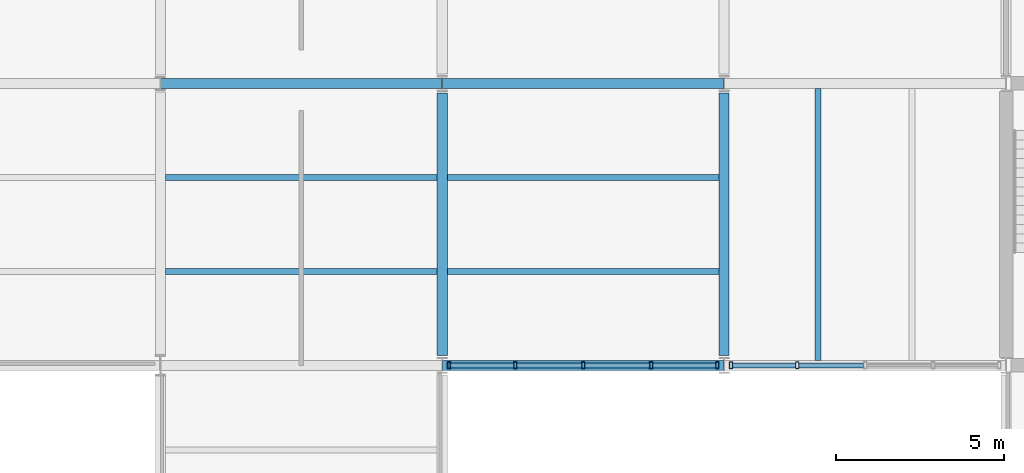
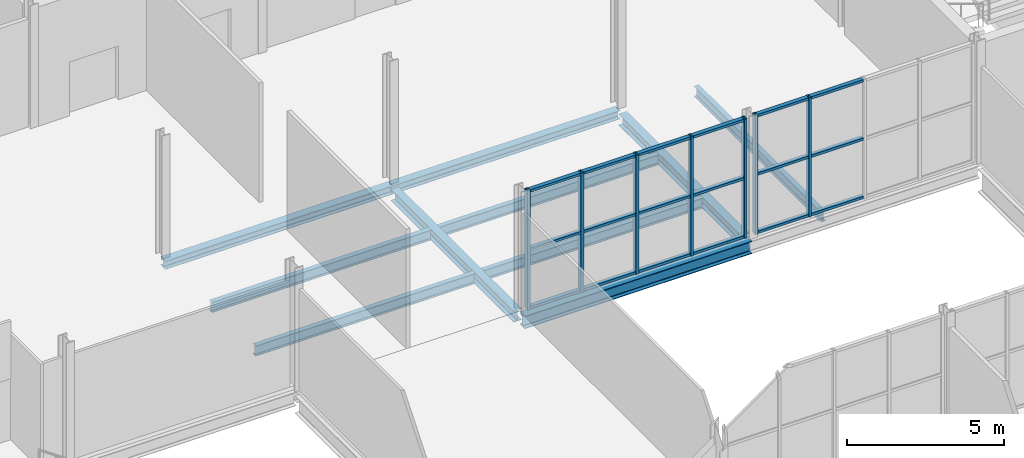
# One storey, part 22 of 52: 25 members, 10 beams, 2 elements without a shape of their own.
"""IFC4 building model written with IfcOpenShell, lengths in metres."""

from ifc_helpers import new_model, si_unit, direction, frame, origin, origin_2d, place, context, subcontext, project, spatial, hollow_rectangle, i_section, extrude, material, layer, layer_set, material_profile, profile_set, type_object, element, aggregate, save


model = new_model("IFC4")

# Units and contexts
model_context = context("Model", 3, precision=1e-05, world=origin(), true_north=direction((0.0, 1.0)))
body_context = subcontext(model_context, "Body", "Model", "MODEL_VIEW")
ifc_project = project(units=[si_unit("LENGTHUNIT", "METRE"), si_unit("AREAUNIT", "SQUARE_METRE"), si_unit("VOLUMEUNIT", "CUBIC_METRE"), si_unit("PLANEANGLEUNIT", "RADIAN"), si_unit("MASSUNIT", "GRAM", prefix="KILO")], contexts=[model_context])

# Site, building, storey
site_placement = place(None, origin())
site = spatial("IfcSite", under=ifc_project, at=site_placement, CompositionType="ELEMENT")
building_placement = place(site_placement, origin())
building = spatial("IfcBuilding", under=site, at=building_placement, Name="Galleria Vessillo Department Store", CompositionType="ELEMENT")
storey_placement = place(building_placement, frame((0.0, 0.0, 16.199951171875)))
storey = spatial("IfcBuildingStorey", under=building, at=storey_placement, Name="L03", CompositionType="ELEMENT", Elevation=16.199951171875)

# Beams
ifc_material_1 = material(Name="Steel S355 J2", Category="steel")
ifc_material_profile_1 = material_profile(ifc_material_1, i_section(OverallWidth=0.300048828125, OverallDepth=0.43994140625, WebThickness=0.011474609375, FlangeThickness=0.02099609375, FilletRadius=0.027099609375, at=origin_2d()), Name="HEA 450")
ifc_profile_set_1 = profile_set([ifc_material_profile_1], Name="Steel S355 J2")
beam_type_1 = type_object("IfcBeamType", Name="Floor girder HEA 450", PredefinedType="BEAM", material=ifc_profile_set_1)
for number, where, z_axis, x_axis, name in (
    (1, (84.0, 38.086181640625, -0.369873046875), (0.0, 1.0, 0.0), (-1.0, 0.0, 0.0), "S-BM-L03-GI-y84000-38086"),
    (2, (92.39990234375, 38.086181640625, -0.369873046875), (0.0, 1.0, 0.0), (-1.0, 0.0, 0.0), "S-BM-L03-GI-y92400-38086"),
):
    element("IfcBeam", number, at=place(storey_placement, frame(where, z_axis=z_axis, x_axis=x_axis)), inside=storey, type_object=beam_type_1, Name=name, PredefinedType="BEAM", context=body_context, shape_type="SweptSolid", body=[
        extrude(i_section(OverallWidth=0.300048828125, OverallDepth=0.43994140625, WebThickness=0.011474609375, FlangeThickness=0.02099609375, FilletRadius=0.027099609375, at=origin_2d()), origin(), (0.0, 0.0, 1.0), 7.82763671875),
    ])
ifc_material_2 = material(Name="Steel S355 J2", Category="steel")
ifc_material_profile_2 = material_profile(ifc_material_2, i_section(OverallWidth=0.179931640625, OverallDepth=0.39990234375, WebThickness=0.008544921875, FlangeThickness=0.013427734375, FilletRadius=0.02099609375, at=origin_2d()), Name="IPE 400")
ifc_profile_set_2 = profile_set([ifc_material_profile_2], Name="Steel S355 J2")
beam_type_2 = type_object("IfcBeamType", Name="Floor joist IPE 400", PredefinedType="JOIST", material=ifc_profile_set_2)
for number, where, z_axis, x_axis, name in (
    (3, (75.750244140625, 40.60009765625, -0.349853515625), (1.0, 0.0, 0.0), (0.0, 1.0, 0.0), "S-BM-L03-JO-x40600-75750"),
    (4, (75.750244140625, 43.39990234375, -0.349853515625), (1.0, 0.0, 0.0), (0.0, 1.0, 0.0), "S-BM-L03-JO-x43400-75750"),
    (5, (84.150146484375, 40.60009765625, -0.349853515625), (1.0, 0.0, 0.0), (0.0, 1.0, 0.0), "S-BM-L03-JO-x40600-84150"),
    (6, (84.150146484375, 43.39990234375, -0.349853515625), (1.0, 0.0, 0.0), (0.0, 1.0, 0.0), "S-BM-L03-JO-x43400-84150"),
    (7, (95.199951171875, 37.9501953125, -0.349853515625), (0.0, 1.0, 0.0), (-1.0, 0.0, 0.0), "S-BM-L03-JO-y95200-37950"),
):
    element("IfcBeam", number, at=place(storey_placement, frame(where, z_axis=z_axis, x_axis=x_axis)), inside=storey, type_object=beam_type_2, Name=name, PredefinedType="JOIST", context=body_context, shape_type="SweptSolid", body=[
        extrude(i_section(OverallWidth=0.179931640625, OverallDepth=0.39990234375, WebThickness=0.008544921875, FlangeThickness=0.013427734375, FilletRadius=0.02099609375, at=origin_2d()), origin(), (0.0, 0.0, 1.0), 8.099609375),
    ])
ifc_material_3 = material(Name="Steel S355 J2", Category="steel")
ifc_material_profile_3 = material_profile(ifc_material_3, i_section(OverallWidth=0.300048828125, OverallDepth=0.330078125, WebThickness=0.009521484375, FlangeThickness=0.0166015625, FilletRadius=0.027099609375, at=origin_2d()), Name="HEA 340")
ifc_profile_set_3 = profile_set([ifc_material_profile_3], Name="Steel S355 J2")
beam_type_3 = type_object("IfcBeamType", Name="Floor tie girder HEA 340", PredefinedType="BEAM", material=ifc_profile_set_3)
beam_1_placement = place(storey_placement, frame((75.607421875, 46.199951171875, -0.31494140625), z_axis=(1.0, 0.0, 0.0), x_axis=(0.0, 1.0, 0.0)))
element("IfcBeam", 8, at=beam_1_placement, inside=storey, type_object=beam_type_3, Name="S-BM-L03-TI-x46200-75607", PredefinedType="BEAM", context=body_context, shape_type="SweptSolid", body=[
    extrude(i_section(OverallWidth=0.300048828125, OverallDepth=0.330078125, WebThickness=0.009521484375, FlangeThickness=0.0166015625, FilletRadius=0.027099609375, at=origin_2d()), origin(), (0.0, 0.0, 1.0), 8.3818359375),
])
beam_2_placement = place(storey_placement, frame((84.0107421875, 46.199951171875, -0.31494140625), z_axis=(1.0, 0.0, 0.0), x_axis=(0.0, 1.0, 0.0)))
element("IfcBeam", 9, at=beam_2_placement, inside=storey, type_object=beam_type_3, Name="S-BM-L03-TI-x46200-84011", PredefinedType="BEAM", context=body_context, shape_type="SweptSolid", body=[
    extrude(i_section(OverallWidth=0.300048828125, OverallDepth=0.330078125, WebThickness=0.009521484375, FlangeThickness=0.0166015625, FilletRadius=0.027099609375, at=origin_2d()), origin(), (0.0, 0.0, 1.0), 8.378662109375),
])

# Curtain wall, members
ifc_material_4 = material(Name="Steel and fire-resisting glass curtain wall", Category="steel")
ifc_layer = layer(ifc_material_4, 0.199951171875)
ifc_layer_set = layer_set([ifc_layer], Name="Steel and fire-resisting glass curtain wall")
curtain_wall_type = type_object("IfcCurtainWallType", Name="Arcade fire-resisting glazed shopfront EI 120-Sa", PredefinedType="NOTDEFINED", material=ifc_layer_set)
curtain_wall_1_placement = place(storey_placement, origin())
curtain_wall_1 = element("IfcCurtainWall", 10, at=curtain_wall_1_placement, inside=storey, type_object=curtain_wall_type, Name="Arcade fire-resisting glazed shopfront EI 120-Sa AI-AE-N-L03-01", PredefinedType="NOTDEFINED")
ifc_material_5 = material(Name="Steel S355 J2", Category="steel")
ifc_material_profile_4 = material_profile(ifc_material_5, hollow_rectangle(XDim=0.199951171875, YDim=0.10009765625, WallThickness=0.008056640625, at=origin_2d()), Name="RHS 200x100x8")
ifc_profile_set_4 = profile_set([ifc_material_profile_4], Name="Steel S355 J2")
member_type_1 = type_object("IfcMemberType", Name="Steel mullion RHS 200x100x8", PredefinedType="MULLION", material=ifc_profile_set_4)
member_1_placement = place(storey_placement, frame((84.20361328125, 37.800048828125, 0.0), z_axis=(0.0, 0.0, 1.0), x_axis=(0.0, 1.0, 0.0)))
member_1 = element("IfcMember", 11, at=member_1_placement, type_object=member_type_1, Name="CW7 mullion 1", PredefinedType="MULLION", context=body_context, shape_type="SweptSolid", body=[
    extrude(hollow_rectangle(XDim=0.199951171875, YDim=0.10009765625, WallThickness=0.008056640625, at=origin_2d()), origin(), (0.0, 0.0, 1.0), 4.650146484375),
])
member_2_placement = place(storey_placement, frame((86.1767578125, 37.800048828125, 0.0), z_axis=(0.0, 0.0, 1.0), x_axis=(0.0, 1.0, 0.0)))
member_2 = element("IfcMember", 12, at=member_2_placement, type_object=member_type_1, Name="CW7 mullion 2", PredefinedType="MULLION", context=body_context, shape_type="SweptSolid", body=[
    extrude(hollow_rectangle(XDim=0.199951171875, YDim=0.10009765625, WallThickness=0.008056640625, at=origin_2d()), origin(), (0.0, 0.0, 1.0), 4.650146484375),
])
member_3_placement = place(storey_placement, frame((88.199951171875, 37.800048828125, 0.0), z_axis=(0.0, 0.0, 1.0), x_axis=(0.0, 1.0, 0.0)))
member_3 = element("IfcMember", 13, at=member_3_placement, type_object=member_type_1, Name="CW7 mullion 3", PredefinedType="MULLION", context=body_context, shape_type="SweptSolid", body=[
    extrude(hollow_rectangle(XDim=0.199951171875, YDim=0.10009765625, WallThickness=0.008056640625, at=origin_2d()), origin(), (0.0, 0.0, 1.0), 4.650146484375),
])
member_4_placement = place(storey_placement, frame((90.22314453125, 37.800048828125, 0.0), z_axis=(0.0, 0.0, 1.0), x_axis=(0.0, 1.0, 0.0)))
member_4 = element("IfcMember", 14, at=member_4_placement, type_object=member_type_1, Name="CW7 mullion 4", PredefinedType="MULLION", context=body_context, shape_type="SweptSolid", body=[
    extrude(hollow_rectangle(XDim=0.199951171875, YDim=0.10009765625, WallThickness=0.008056640625, at=origin_2d()), origin(), (0.0, 0.0, 1.0), 4.650146484375),
])
member_5_placement = place(storey_placement, frame((92.1962890625, 37.800048828125, 0.0), z_axis=(0.0, 0.0, 1.0), x_axis=(0.0, 1.0, 0.0)))
member_5 = element("IfcMember", 15, at=member_5_placement, type_object=member_type_1, Name="CW7 mullion 5", PredefinedType="MULLION", context=body_context, shape_type="SweptSolid", body=[
    extrude(hollow_rectangle(XDim=0.199951171875, YDim=0.10009765625, WallThickness=0.008056640625, at=origin_2d()), origin(), (0.0, 0.0, 1.0), 4.650146484375),
])

curtain_wall_2_placement = place(storey_placement, origin())
curtain_wall_2 = element("IfcCurtainWall", 16, at=curtain_wall_2_placement, inside=storey, type_object=curtain_wall_type, Name="Arcade fire-resisting glazed shopfront EI 120-Sa AI-AE-N-L03-02", PredefinedType="NOTDEFINED")
member_6_placement = place(storey_placement, frame((92.603515625, 37.800048828125, 0.0), z_axis=(0.0, 0.0, 1.0), x_axis=(0.0, 1.0, 0.0)))
member_6 = element("IfcMember", 17, at=member_6_placement, type_object=member_type_1, Name="CW7 mullion 1", PredefinedType="MULLION", context=body_context, shape_type="SweptSolid", body=[
    extrude(hollow_rectangle(XDim=0.199951171875, YDim=0.10009765625, WallThickness=0.008056640625, at=origin_2d()), origin(), (0.0, 0.0, 1.0), 4.650146484375),
])
member_7_placement = place(storey_placement, frame((94.57666015625, 37.800048828125, 0.0), z_axis=(0.0, 0.0, 1.0), x_axis=(0.0, 1.0, 0.0)))
member_7 = element("IfcMember", 18, at=member_7_placement, type_object=member_type_1, Name="CW7 mullion 2", PredefinedType="MULLION", context=body_context, shape_type="SweptSolid", body=[
    extrude(hollow_rectangle(XDim=0.199951171875, YDim=0.10009765625, WallThickness=0.008056640625, at=origin_2d()), origin(), (0.0, 0.0, 1.0), 4.650146484375),
])

# Member
ifc_material_6 = material(Name="Steel S355 J2", Category="steel")
ifc_material_profile_5 = material_profile(ifc_material_6, hollow_rectangle(XDim=0.14990234375, YDim=0.10009765625, WallThickness=0.008056640625, at=origin_2d()), Name="RHS 150x100x8")
ifc_profile_set_5 = profile_set([ifc_material_profile_5], Name="Steel S355 J2")
member_type_2 = type_object("IfcMemberType", Name="Steel transom RHS 150x100x8", PredefinedType="USERDEFINED", material=ifc_profile_set_5)
member_8_placement = place(storey_placement, frame((84.253662109375, 37.800048828125, 0.050048828125), z_axis=(1.0, 0.0, 0.0), x_axis=(0.0, 1.0, 0.0)))
member_8 = element("IfcMember", 19, at=member_8_placement, type_object=member_type_2, Name="CW7 transom 1.1", ObjectType="TRANSOM", PredefinedType="USERDEFINED", context=body_context, shape_type="SweptSolid", body=[
    extrude(hollow_rectangle(XDim=0.14990234375, YDim=0.10009765625, WallThickness=0.008056640625, at=origin_2d()), origin(), (0.0, 0.0, 1.0), 1.873046875),
])

member_9_placement = place(storey_placement, frame((84.253662109375, 37.800048828125, 2.324951171875), z_axis=(1.0, 0.0, 0.0), x_axis=(0.0, 1.0, 0.0)))
member_9 = element("IfcMember", 20, at=member_9_placement, type_object=member_type_2, Name="CW7 transom 1.2", ObjectType="TRANSOM", PredefinedType="USERDEFINED", context=body_context, shape_type="SweptSolid", body=[
    extrude(hollow_rectangle(XDim=0.14990234375, YDim=0.10009765625, WallThickness=0.008056640625, at=origin_2d()), origin(), (0.0, 0.0, 1.0), 1.873046875),
])

member_10_placement = place(storey_placement, frame((84.253662109375, 37.800048828125, 4.60009765625), z_axis=(1.0, 0.0, 0.0), x_axis=(0.0, 1.0, 0.0)))
member_10 = element("IfcMember", 21, at=member_10_placement, type_object=member_type_2, Name="CW7 transom 1.3", ObjectType="TRANSOM", PredefinedType="USERDEFINED", context=body_context, shape_type="SweptSolid", body=[
    extrude(hollow_rectangle(XDim=0.14990234375, YDim=0.10009765625, WallThickness=0.008056640625, at=origin_2d()), origin(), (0.0, 0.0, 1.0), 1.873046875),
])

member_11_placement = place(storey_placement, frame((86.226806640625, 37.800048828125, 0.050048828125), z_axis=(1.0, 0.0, 0.0), x_axis=(0.0, 1.0, 0.0)))
member_11 = element("IfcMember", 22, at=member_11_placement, type_object=member_type_2, Name="CW7 transom 2.1", ObjectType="TRANSOM", PredefinedType="USERDEFINED", context=body_context, shape_type="SweptSolid", body=[
    extrude(hollow_rectangle(XDim=0.14990234375, YDim=0.10009765625, WallThickness=0.008056640625, at=origin_2d()), origin(), (0.0, 0.0, 1.0), 1.923095703125),
])

member_12_placement = place(storey_placement, frame((86.226806640625, 37.800048828125, 2.324951171875), z_axis=(1.0, 0.0, 0.0), x_axis=(0.0, 1.0, 0.0)))
member_12 = element("IfcMember", 23, at=member_12_placement, type_object=member_type_2, Name="CW7 transom 2.2", ObjectType="TRANSOM", PredefinedType="USERDEFINED", context=body_context, shape_type="SweptSolid", body=[
    extrude(hollow_rectangle(XDim=0.14990234375, YDim=0.10009765625, WallThickness=0.008056640625, at=origin_2d()), origin(), (0.0, 0.0, 1.0), 1.923095703125),
])

member_13_placement = place(storey_placement, frame((86.226806640625, 37.800048828125, 4.60009765625), z_axis=(1.0, 0.0, 0.0), x_axis=(0.0, 1.0, 0.0)))
member_13 = element("IfcMember", 24, at=member_13_placement, type_object=member_type_2, Name="CW7 transom 2.3", ObjectType="TRANSOM", PredefinedType="USERDEFINED", context=body_context, shape_type="SweptSolid", body=[
    extrude(hollow_rectangle(XDim=0.14990234375, YDim=0.10009765625, WallThickness=0.008056640625, at=origin_2d()), origin(), (0.0, 0.0, 1.0), 1.923095703125),
])

member_14_placement = place(storey_placement, frame((88.25, 37.800048828125, 0.050048828125), z_axis=(1.0, 0.0, 0.0), x_axis=(0.0, 1.0, 0.0)))
member_14 = element("IfcMember", 25, at=member_14_placement, type_object=member_type_2, Name="CW7 transom 3.1", ObjectType="TRANSOM", PredefinedType="USERDEFINED", context=body_context, shape_type="SweptSolid", body=[
    extrude(hollow_rectangle(XDim=0.14990234375, YDim=0.10009765625, WallThickness=0.008056640625, at=origin_2d()), origin(), (0.0, 0.0, 1.0), 1.923095703125),
])

member_15_placement = place(storey_placement, frame((88.25, 37.800048828125, 2.324951171875), z_axis=(1.0, 0.0, 0.0), x_axis=(0.0, 1.0, 0.0)))
member_15 = element("IfcMember", 26, at=member_15_placement, type_object=member_type_2, Name="CW7 transom 3.2", ObjectType="TRANSOM", PredefinedType="USERDEFINED", context=body_context, shape_type="SweptSolid", body=[
    extrude(hollow_rectangle(XDim=0.14990234375, YDim=0.10009765625, WallThickness=0.008056640625, at=origin_2d()), origin(), (0.0, 0.0, 1.0), 1.923095703125),
])

member_16_placement = place(storey_placement, frame((88.25, 37.800048828125, 4.60009765625), z_axis=(1.0, 0.0, 0.0), x_axis=(0.0, 1.0, 0.0)))
member_16 = element("IfcMember", 27, at=member_16_placement, type_object=member_type_2, Name="CW7 transom 3.3", ObjectType="TRANSOM", PredefinedType="USERDEFINED", context=body_context, shape_type="SweptSolid", body=[
    extrude(hollow_rectangle(XDim=0.14990234375, YDim=0.10009765625, WallThickness=0.008056640625, at=origin_2d()), origin(), (0.0, 0.0, 1.0), 1.923095703125),
])

member_17_placement = place(storey_placement, frame((90.273193359375, 37.800048828125, 0.050048828125), z_axis=(1.0, 0.0, 0.0), x_axis=(0.0, 1.0, 0.0)))
member_17 = element("IfcMember", 28, at=member_17_placement, type_object=member_type_2, Name="CW7 transom 4.1", ObjectType="TRANSOM", PredefinedType="USERDEFINED", context=body_context, shape_type="SweptSolid", body=[
    extrude(hollow_rectangle(XDim=0.14990234375, YDim=0.10009765625, WallThickness=0.008056640625, at=origin_2d()), origin(), (0.0, 0.0, 1.0), 1.873046875),
])

member_18_placement = place(storey_placement, frame((90.273193359375, 37.800048828125, 2.324951171875), z_axis=(1.0, 0.0, 0.0), x_axis=(0.0, 1.0, 0.0)))
member_18 = element("IfcMember", 29, at=member_18_placement, type_object=member_type_2, Name="CW7 transom 4.2", ObjectType="TRANSOM", PredefinedType="USERDEFINED", context=body_context, shape_type="SweptSolid", body=[
    extrude(hollow_rectangle(XDim=0.14990234375, YDim=0.10009765625, WallThickness=0.008056640625, at=origin_2d()), origin(), (0.0, 0.0, 1.0), 1.873046875),
])

member_19_placement = place(storey_placement, frame((90.273193359375, 37.800048828125, 4.60009765625), z_axis=(1.0, 0.0, 0.0), x_axis=(0.0, 1.0, 0.0)))
member_19 = element("IfcMember", 30, at=member_19_placement, type_object=member_type_2, Name="CW7 transom 4.3", ObjectType="TRANSOM", PredefinedType="USERDEFINED", context=body_context, shape_type="SweptSolid", body=[
    extrude(hollow_rectangle(XDim=0.14990234375, YDim=0.10009765625, WallThickness=0.008056640625, at=origin_2d()), origin(), (0.0, 0.0, 1.0), 1.873046875),
])

aggregate(curtain_wall_1, [member_1, member_2, member_3, member_4, member_5, member_8, member_9, member_10, member_11, member_12, member_13, member_14, member_15, member_16, member_17, member_18, member_19])

member_20_placement = place(storey_placement, frame((92.653564453125, 37.800048828125, 0.050048828125), z_axis=(1.0, 0.0, 0.0), x_axis=(0.0, 1.0, 0.0)))
member_20 = element("IfcMember", 31, at=member_20_placement, type_object=member_type_2, Name="CW7 transom 1.1", ObjectType="TRANSOM", PredefinedType="USERDEFINED", context=body_context, shape_type="SweptSolid", body=[
    extrude(hollow_rectangle(XDim=0.14990234375, YDim=0.10009765625, WallThickness=0.008056640625, at=origin_2d()), origin(), (0.0, 0.0, 1.0), 1.873046875),
])

member_21_placement = place(storey_placement, frame((92.653564453125, 37.800048828125, 2.324951171875), z_axis=(1.0, 0.0, 0.0), x_axis=(0.0, 1.0, 0.0)))
member_21 = element("IfcMember", 32, at=member_21_placement, type_object=member_type_2, Name="CW7 transom 1.2", ObjectType="TRANSOM", PredefinedType="USERDEFINED", context=body_context, shape_type="SweptSolid", body=[
    extrude(hollow_rectangle(XDim=0.14990234375, YDim=0.10009765625, WallThickness=0.008056640625, at=origin_2d()), origin(), (0.0, 0.0, 1.0), 1.873046875),
])

member_22_placement = place(storey_placement, frame((92.653564453125, 37.800048828125, 4.60009765625), z_axis=(1.0, 0.0, 0.0), x_axis=(0.0, 1.0, 0.0)))
member_22 = element("IfcMember", 33, at=member_22_placement, type_object=member_type_2, Name="CW7 transom 1.3", ObjectType="TRANSOM", PredefinedType="USERDEFINED", context=body_context, shape_type="SweptSolid", body=[
    extrude(hollow_rectangle(XDim=0.14990234375, YDim=0.10009765625, WallThickness=0.008056640625, at=origin_2d()), origin(), (0.0, 0.0, 1.0), 1.873046875),
])

member_23_placement = place(storey_placement, frame((94.626708984375, 37.800048828125, 0.050048828125), z_axis=(1.0, 0.0, 0.0), x_axis=(0.0, 1.0, 0.0)))
member_23 = element("IfcMember", 34, at=member_23_placement, type_object=member_type_2, Name="CW7 transom 2.1", ObjectType="TRANSOM", PredefinedType="USERDEFINED", context=body_context, shape_type="SweptSolid", body=[
    extrude(hollow_rectangle(XDim=0.14990234375, YDim=0.10009765625, WallThickness=0.008056640625, at=origin_2d()), origin(), (0.0, 0.0, 1.0), 1.92333984375),
])

member_24_placement = place(storey_placement, frame((94.626708984375, 37.800048828125, 2.324951171875), z_axis=(1.0, 0.0, 0.0), x_axis=(0.0, 1.0, 0.0)))
member_24 = element("IfcMember", 35, at=member_24_placement, type_object=member_type_2, Name="CW7 transom 2.2", ObjectType="TRANSOM", PredefinedType="USERDEFINED", context=body_context, shape_type="SweptSolid", body=[
    extrude(hollow_rectangle(XDim=0.14990234375, YDim=0.10009765625, WallThickness=0.008056640625, at=origin_2d()), origin(), (0.0, 0.0, 1.0), 1.92333984375),
])

member_25_placement = place(storey_placement, frame((94.626708984375, 37.800048828125, 4.60009765625), z_axis=(1.0, 0.0, 0.0), x_axis=(0.0, 1.0, 0.0)))
member_25 = element("IfcMember", 36, at=member_25_placement, type_object=member_type_2, Name="CW7 transom 2.3", ObjectType="TRANSOM", PredefinedType="USERDEFINED", context=body_context, shape_type="SweptSolid", body=[
    extrude(hollow_rectangle(XDim=0.14990234375, YDim=0.10009765625, WallThickness=0.008056640625, at=origin_2d()), origin(), (0.0, 0.0, 1.0), 1.92333984375),
])

aggregate(curtain_wall_2, [member_6, member_7, member_20, member_21, member_22, member_23, member_24, member_25])

# Beam
ifc_material_7 = material(Name="Steel S355 J2", Category="steel")
ifc_material_profile_6 = material_profile(ifc_material_7, i_section(OverallWidth=0.300048828125, OverallDepth=0.489990234375, WebThickness=0.011962890625, FlangeThickness=0.02294921875, FilletRadius=0.027099609375, at=origin_2d()), Name="HEA 500")
ifc_profile_set_6 = profile_set([ifc_material_profile_6], Name="Steel S355 J2")
beam_type_4 = type_object("IfcBeamType", Name="Trimmer beam HEA 500", PredefinedType="BEAM", material=ifc_profile_set_6)
beam_3_placement = place(storey_placement, frame((84.0107421875, 37.800048828125, -0.39501953125), z_axis=(1.0, 0.0, 0.0), x_axis=(0.0, 1.0, 0.0)))
element("IfcBeam", 37, at=beam_3_placement, inside=storey, type_object=beam_type_4, Name="S-BM-L03-TR-x37800-84011", PredefinedType="BEAM", context=body_context, shape_type="SweptSolid", body=[
    extrude(i_section(OverallWidth=0.300048828125, OverallDepth=0.489990234375, WebThickness=0.011962890625, FlangeThickness=0.02294921875, FilletRadius=0.027099609375, at=origin_2d()), origin(), (0.0, 0.0, 1.0), 8.378662109375),
])

save(model, "model.ifc")
